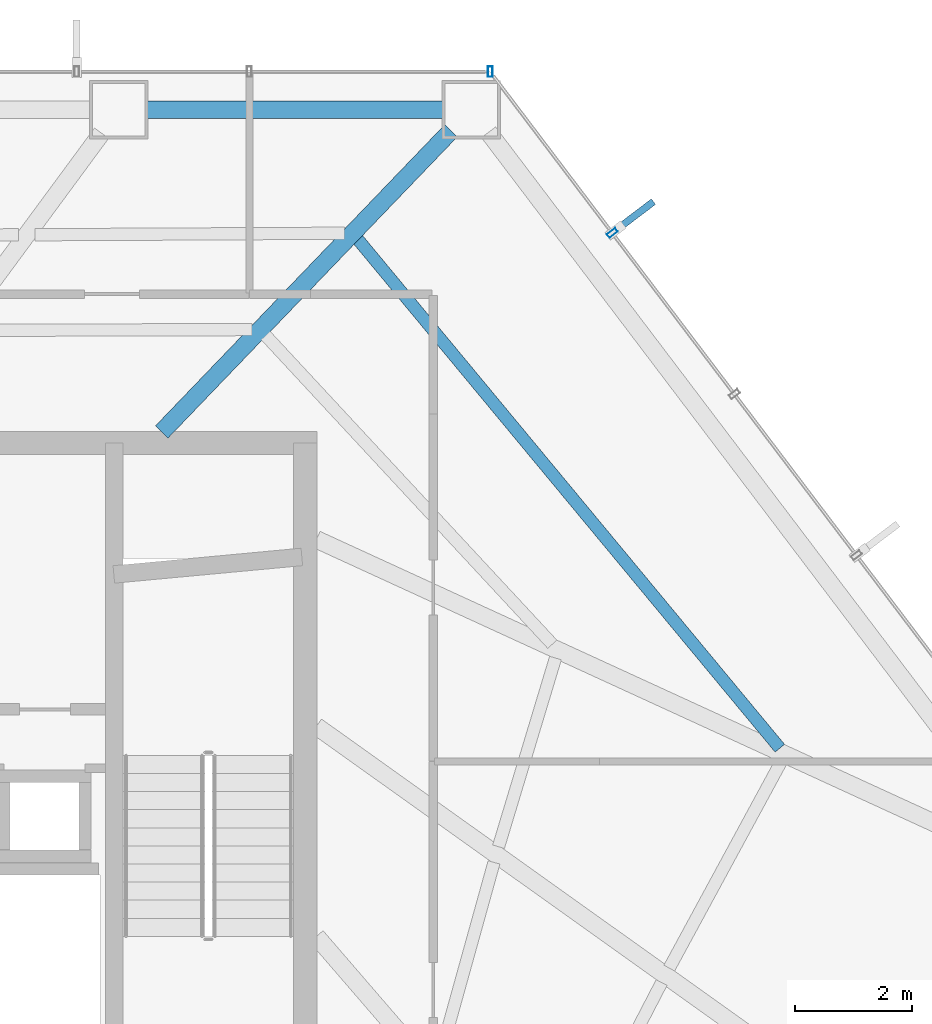
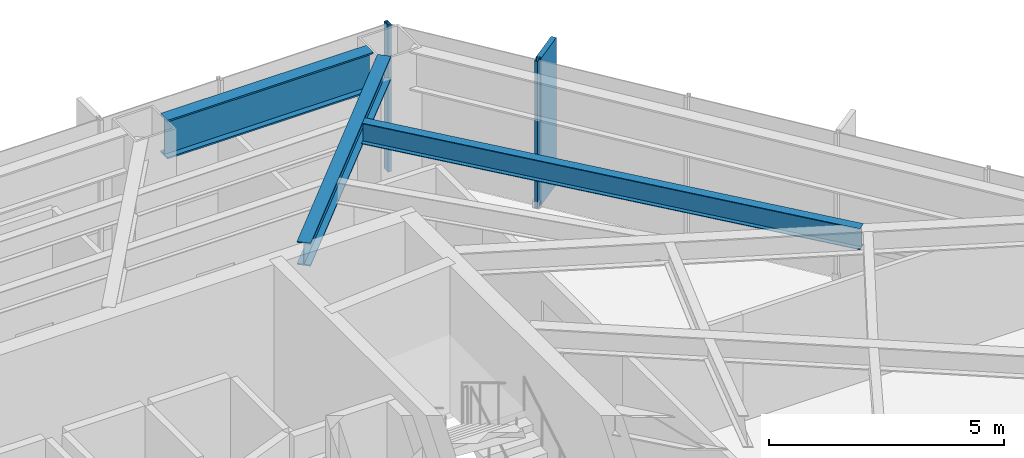
# One storey, part 17 of 24: 3 beams, 3 members, 2 elements without a shape of their own.
"""IFC4 building model written with IfcOpenShell, lengths in metres."""

import ifcopenshell
import ifcopenshell.guid

model = None  # the IFC model being written
_history = None  # IfcOwnerHistory: only IFC2X3 demands one
_inside = {}  # id of a spatial element -> (the spatial element, [elements in it])
_under = {}  # id of a project, library or spatial element -> (it, [spatial elements below it])
_declared = {}  # id of a project -> (the project, [libraries it declares])
_typed = {}  # id of a type object -> (the type object, [elements of that type])
_made_of = {}  # id of a material, layer set ... -> (it, [elements and type objects made of it])


def new_model(schema):
    """Start an empty IFC model of exactly this schema.

    Asked for "IFC4X3", IfcOpenShell would pick the latest addendum, in which some entities
    have other attributes; the version numbers below select the first issue.
    IFC2X3 requires an IfcOwnerHistory on every rooted entity: one is made here for all.
    """
    global model, _history
    if schema == "IFC4X3":
        model = ifcopenshell.file(schema_version=(4, 3, 0, 0))
    else:
        model = ifcopenshell.file(schema=schema)
    _inside.clear()
    _under.clear()
    _declared.clear()
    _typed.clear()
    _made_of.clear()
    _history = None
    if model.schema == "IFC2X3":
        org = make("IfcOrganization", Name="unknown")
        user = make(
            "IfcPersonAndOrganization",
            ThePerson=make("IfcPerson", FamilyName="unknown"),
            TheOrganization=org,
        )
        app = make(
            "IfcApplication",
            ApplicationDeveloper=org,
            Version="unknown",
            ApplicationFullName="unknown",
            ApplicationIdentifier="unknown",
        )
        _history = make(
            "IfcOwnerHistory",
            OwningUser=user,
            OwningApplication=app,
            ChangeAction="ADDED",
            CreationDate=0,
        )
    return model


def make(cls, **values):
    """One entity of the class cls with the attributes given. An attribute that is None is left unset."""
    return model.create_entity(
        cls, **{name: value for name, value in values.items() if value is not None}
    )


def rooted(cls, **values):
    """An entity with a GlobalId (a new one), such as an element, a storey or a relation."""
    return make(cls, GlobalId=ifcopenshell.guid.new(), OwnerHistory=_history, **values)


def si_unit(unit_type, name, prefix=None):
    """IfcSIUnit, for example si_unit("LENGTHUNIT", "METRE", prefix="MILLI")."""
    return make("IfcSIUnit", UnitType=unit_type, Prefix=prefix, Name=name)


def assignment(units):
    """IfcUnitAssignment: the units of a project."""
    return None if units is None else make("IfcUnitAssignment", Units=units)


def point(xyz):
    """IfcCartesianPoint."""
    return None if xyz is None else make("IfcCartesianPoint", Coordinates=xyz)


def direction(xyz):
    """IfcDirection."""
    return None if xyz is None else make("IfcDirection", DirectionRatios=xyz)


def frame(location, z_axis=None, x_axis=None):
    """IfcAxis2Placement3D, a coordinate frame: its origin and axes. An axis left out is left unset."""
    return make(
        "IfcAxis2Placement3D",
        Location=point(location),
        Axis=direction(z_axis),
        RefDirection=direction(x_axis),
    )


def frame_2d(location, x_axis=None):
    """IfcAxis2Placement2D, a coordinate frame in the plane: its origin and x axis."""
    return make(
        "IfcAxis2Placement2D", Location=point(location), RefDirection=direction(x_axis)
    )


def origin():
    """The frame at (0, 0, 0) with its axes left unset."""
    return frame((0.0, 0.0, 0.0))


def origin_2d():
    """The frame at (0, 0) in the plane with its x axis left unset."""
    return frame_2d((0.0, 0.0))


def place(relative_to, where):
    """IfcLocalPlacement: puts the frame where relative to a parent placement (None: the world)."""
    return make(
        "IfcLocalPlacement", PlacementRelTo=relative_to, RelativePlacement=where
    )


def context(
    kind, dimensions, precision=None, world=None, true_north=None, identifier=None
):
    """IfcGeometricRepresentationContext, for example the 3D "Model" context."""
    return make(
        "IfcGeometricRepresentationContext",
        ContextIdentifier=identifier,
        ContextType=kind,
        CoordinateSpaceDimension=dimensions,
        Precision=precision,
        WorldCoordinateSystem=world,
        TrueNorth=true_north,
    )


def subcontext(parent, identifier, kind, view, scale=None):
    """IfcGeometricRepresentationSubContext, for example "Body" below "Model"."""
    return make(
        "IfcGeometricRepresentationSubContext",
        ContextIdentifier=identifier,
        ContextType=kind,
        ParentContext=parent,
        TargetScale=scale,
        TargetView=view,
    )


def project(units=None, contexts=None):
    """IfcProject with its units and contexts."""
    return rooted(
        "IfcProject",
        Name="project",
        RepresentationContexts=contexts,
        UnitsInContext=assignment(units),
    )


def spatial(cls, under=None, at=None, **own):
    """A site, building, storey or space (cls), placed at a placement, below another one or the project."""
    s = rooted(cls, ObjectPlacement=at, **own)
    if under is not None:
        _under.setdefault(under.id(), (under, []))[1].append(s)
    return s


def profile(cls, at=None, kind="AREA", **sizes):
    """A parametric profile (cls). Its sizes go by their IFC names, for example OverallWidth=200.0."""
    return make(cls, ProfileType=kind, Position=at, **sizes)


def rectangle(**sizes):
    """IfcRectangleProfileDef."""
    return profile("IfcRectangleProfileDef", **sizes)


def hollow_rectangle(**sizes):
    """IfcRectangleHollowProfileDef."""
    return profile("IfcRectangleHollowProfileDef", **sizes)


def i_section(**sizes):
    """IfcIShapeProfileDef."""
    return profile("IfcIShapeProfileDef", **sizes)


def extrude(swept, where, along, depth):
    """IfcExtrudedAreaSolid: the profile swept, set in the frame where, extruded along a direction by depth."""
    return make(
        "IfcExtrudedAreaSolid",
        SweptArea=swept,
        Position=where,
        ExtrudedDirection=direction(along),
        Depth=depth,
    )


def shape(context_of_items, identifier, shape_type, items):
    """IfcShapeRepresentation: the items that make up one representation, for example the "Body"."""
    return make(
        "IfcShapeRepresentation",
        ContextOfItems=context_of_items,
        RepresentationIdentifier=identifier,
        RepresentationType=shape_type,
        Items=items,
    )


def material(Name=None, Category=None):
    """IfcMaterial."""
    return make("IfcMaterial", Name=Name, Category=Category)


def layer(
    of_material, thickness, ventilated=None, Name=None, Category=None, Priority=None
):
    """IfcMaterialLayer: one layer of a wall or slab, of a material (None: an air gap)."""
    return make(
        "IfcMaterialLayer",
        Material=of_material,
        LayerThickness=thickness,
        IsVentilated=ventilated,
        Name=Name,
        Category=Category,
        Priority=Priority,
    )


def layer_set(layers, Name=None):
    """IfcMaterialLayerSet."""
    return make("IfcMaterialLayerSet", MaterialLayers=layers, LayerSetName=Name)


def material_profile(
    of_material, cross_section, Name=None, Category=None, Priority=None
):
    """IfcMaterialProfile: a cross section and its material."""
    return make(
        "IfcMaterialProfile",
        Name=Name,
        Material=of_material,
        Profile=cross_section,
        Priority=Priority,
        Category=Category,
    )


def profile_set(profiles, Name=None, composite=None):
    """IfcMaterialProfileSet."""
    return make(
        "IfcMaterialProfileSet",
        Name=Name,
        MaterialProfiles=profiles,
        CompositeProfile=composite,
    )


def made_of(thing, what):
    """Note that an element or type object is made of a material, layer set ...; save() writes the relation."""
    if what is not None:
        _made_of.setdefault(what.id(), (what, []))[1].append(thing)
    return thing


def type_object(cls, material=None, **own):
    """A type object (cls), such as IfcWallType, which elements share."""
    return made_of(rooted(cls, **own), material)


def element(
    cls,
    number,
    at=None,
    inside=None,
    cuts=None,
    type_object=None,
    material=None,
    context=None,
    identifier="Body",
    shape_type=None,
    held_by="IfcProductDefinitionShape",
    body=None,
    shapes=None,
    **own,
):
    """One element of the class cls, such as IfcWall. Its Tag is "e" and its number.

    at: its placement. inside: the storey or other place that contains it. cuts: it is an
    opening in that element (IfcRelVoidsElement). A single representation is given by context,
    identifier, shape_type and body (its items); several are given by shapes. held_by: the class
    of the entity that holds the representations. save() writes the other relations.
    """
    e = rooted(cls, Tag="e%d" % number, ObjectPlacement=at, **own)
    if body is not None:
        shapes = [shape(context, identifier, shape_type, body)]
    if shapes is not None:
        e.Representation = make(held_by, Representations=shapes)
    if inside is not None:
        _inside.setdefault(inside.id(), (inside, []))[1].append(e)
    if cuts is not None:
        rooted(
            "IfcRelVoidsElement", RelatingBuildingElement=cuts, RelatedOpeningElement=e
        )
    if type_object is not None:
        _typed.setdefault(type_object.id(), (type_object, []))[1].append(e)
    return made_of(e, material)


def aggregate(whole, parts):
    """IfcRelAggregates: a whole, such as a stair, and the parts it consists of."""
    return rooted("IfcRelAggregates", RelatingObject=whole, RelatedObjects=parts)


def save(model, path):
    """Write the relations noted so far, then the file.

    IfcRelAggregates (storeys below a building ...), IfcRelContainedInSpatialStructure (elements
    in a storey), IfcRelDefinesByType, IfcRelAssociatesMaterial and IfcRelDeclares: one each for
    every whole, place, type object, material and project.
    """
    for whole, parts in _under.values():
        aggregate(whole, parts)
    for where, things in _inside.values():
        rooted(
            "IfcRelContainedInSpatialStructure",
            RelatedElements=things,
            RelatingStructure=where,
        )
    for kind, things in _typed.values():
        rooted("IfcRelDefinesByType", RelatedObjects=things, RelatingType=kind)
    for what, things in _made_of.values():
        rooted("IfcRelAssociatesMaterial", RelatedObjects=things, RelatingMaterial=what)
    for by, libraries in _declared.values():
        rooted("IfcRelDeclares", RelatingContext=by, RelatedDefinitions=libraries)
    model.write(path)


model = new_model("IFC4")

# Units and contexts
model_context = context("Model", 3, precision=1e-05, world=origin(), true_north=direction((0.0, 1.0)))
body_context = subcontext(model_context, "Body", "Model", "MODEL_VIEW")
ifc_project = project(units=[si_unit("LENGTHUNIT", "METRE"), si_unit("AREAUNIT", "SQUARE_METRE"), si_unit("VOLUMEUNIT", "CUBIC_METRE"), si_unit("PLANEANGLEUNIT", "RADIAN"), si_unit("MASSUNIT", "GRAM", prefix="KILO")], contexts=[model_context])

# Site, building, storey
site_placement = place(None, origin())
site = spatial("IfcSite", under=ifc_project, at=site_placement, CompositionType="ELEMENT")
building_placement = place(site_placement, origin())
building = spatial("IfcBuilding", under=site, at=building_placement, Name="Zarrinselat Tower", CompositionType="ELEMENT")
storey_placement = place(building_placement, frame((0.0, 0.0, 64.260009765625)))
storey = spatial("IfcBuildingStorey", under=building, at=storey_placement, Name="L15", CompositionType="ELEMENT", Elevation=64.260009765625)

# Beams
ifc_material_1 = material(Name="Steel S355J2", Category="steel")
ifc_material_profile_1 = material_profile(ifc_material_1, i_section(OverallWidth=0.300048828125, OverallDepth=0.60009765625, WebThickness=0.015380859375, FlangeThickness=0.030029296875, at=origin_2d()), Name="HEB 600")
ifc_profile_set_1 = profile_set([ifc_material_profile_1], Name="Steel S355J2")
beam_type_1 = type_object("IfcBeamType", Name="BM-HEB600", PredefinedType="BEAM", material=ifc_profile_set_1)
beam_1_placement = place(storey_placement, frame((45.800048828125, 43.639892578125, 3.52001953125), z_axis=(0.692696633035, 0.721229072197, 0.0), x_axis=(-0.721229072197, 0.692696633035, 0.0)))
element("IfcBeam", 1, at=beam_1_placement, inside=storey, type_object=beam_type_1, Name="L15 Radial Primary Girder RG01", PredefinedType="BEAM", context=body_context, shape_type="SweptSolid", body=[
    extrude(i_section(OverallWidth=0.300048828125, OverallDepth=0.60009765625, WebThickness=0.015380859375, FlangeThickness=0.030029296875, at=origin_2d()), origin(), (0.0, 0.0, 1.0), 7.1533203125),
])
ifc_material_2 = material(Name="Steel S460M", Category="steel")
ifc_material_profile_2 = material_profile(ifc_material_2, i_section(OverallWidth=0.302001953125, OverallDepth=1.008056640625, WebThickness=0.02099609375, FlangeThickness=0.0400390625, at=origin_2d()), Name="HEM 1000")
ifc_profile_set_2 = profile_set([ifc_material_profile_2], Name="Steel S460M")
beam_type_2 = type_object("IfcBeamType", Name="BM-HEM1000", PredefinedType="BEAM", material=ifc_profile_set_2)
beam_2_placement = place(storey_placement, frame((45.55517578125, 49.1611328125, 3.31591796875), z_axis=(1.0, 0.0, 0.0), x_axis=(0.0, 1.0, 0.0)))
element("IfcBeam", 2, at=beam_2_placement, inside=storey, type_object=beam_type_2, Name="L15 Perimeter Spandrel Girder SP01", PredefinedType="BEAM", context=body_context, shape_type="SweptSolid", body=[
    extrude(i_section(OverallWidth=0.302001953125, OverallDepth=1.008056640625, WebThickness=0.02099609375, FlangeThickness=0.0400390625, at=origin_2d()), origin(), (0.0, 0.0, 1.0), 5.059814453125),
])
ifc_material_3 = material(Name="Steel S355J2", Category="steel")
ifc_material_profile_3 = material_profile(ifc_material_3, i_section(OverallWidth=0.2099609375, OverallDepth=0.550048828125, WebThickness=0.010986328125, FlangeThickness=0.01708984375, at=origin_2d()), Name="IPE 550")
ifc_profile_set_3 = profile_set([ifc_material_profile_3], Name="Steel S355J2")
beam_type_3 = type_object("IfcBeamType", Name="BM-IPE550", PredefinedType="JOIST", material=ifc_profile_set_3)
beam_3_placement = place(storey_placement, frame((49.159912109375, 46.937255859375, 3.544921875), z_axis=(0.638383864469, -0.76971815724, 0.0), x_axis=(0.76971815724, 0.638383864469, 0.0)))
element("IfcBeam", 3, at=beam_3_placement, inside=storey, type_object=beam_type_3, Name="L15 Composite Floor Joist 6-1", PredefinedType="JOIST", context=body_context, shape_type="SweptSolid", body=[
    extrude(i_section(OverallWidth=0.2099609375, OverallDepth=0.550048828125, WebThickness=0.010986328125, FlangeThickness=0.01708984375, at=origin_2d()), origin(), (0.0, 0.0, 1.0), 11.32080078125),
])

# Curtain wall, member
ifc_material_4 = material(Name="Extruded Aluminium Alloy EN AW-6063 T6", Category="aluminium")
ifc_layer = layer(ifc_material_4, 0.18505859375)
ifc_layer_set = layer_set([ifc_layer], Name="Extruded Aluminium Alloy EN AW-6063 T6")
curtain_wall_type = type_object("IfcCurtainWallType", Name="CWS-OFF", PredefinedType="NOTDEFINED", material=ifc_layer_set)
curtain_wall_1_placement = place(storey_placement, origin())
curtain_wall_1 = element("IfcCurtainWall", 4, at=curtain_wall_1_placement, inside=storey, type_object=curtain_wall_type, Name="L15 Unitised Curtain Wall CW-L15-E02", PredefinedType="NOTDEFINED")
ifc_material_5 = material(Name="Extruded Aluminium Alloy EN AW-6063 T6", Category="aluminium")
ifc_material_profile_4 = material_profile(ifc_material_5, hollow_rectangle(XDim=0.080078125, YDim=0.179931640625, WallThickness=0.0048828125, at=origin_2d()), Name="RHS 180x80x5")
ifc_profile_set_4 = profile_set([ifc_material_profile_4], Name="Extruded Aluminium Alloy EN AW-6063 T6")
member_type_1 = type_object("IfcMemberType", Name="MEM-CW-MUL", PredefinedType="MULLION", material=ifc_profile_set_4)
member_1_placement = place(storey_placement, frame((51.42578125, 49.81103515625, 0.0), z_axis=(0.0, 0.0, 1.0), x_axis=(1.0, 0.0, 0.0)))
member_1 = element("IfcMember", 5, at=member_1_placement, type_object=member_type_1, Name="CW-L15-E02 Mullion 7", PredefinedType="MULLION", context=body_context, shape_type="SweptSolid", body=[
    extrude(hollow_rectangle(XDim=0.080078125, YDim=0.179931640625, WallThickness=0.0048828125, at=origin_2d()), origin(), (0.0, 0.0, 1.0), 3.820068359375),
])
aggregate(curtain_wall_1, [member_1])

# Curtain wall, members
curtain_wall_2_placement = place(storey_placement, origin())
curtain_wall_2 = element("IfcCurtainWall", 6, at=curtain_wall_2_placement, inside=storey, type_object=curtain_wall_type, Name="L15 Unitised Curtain Wall CW-L15-E03", PredefinedType="NOTDEFINED")
member_2_placement = place(storey_placement, frame((53.517333984375, 47.050537109375, 0.0), z_axis=(0.0, 0.0, 1.0), x_axis=(0.603859800485, -0.797090547779, 0.0)))
member_2 = element("IfcMember", 7, at=member_2_placement, type_object=member_type_1, Name="CW-L15-E03 Mullion 1", PredefinedType="MULLION", context=body_context, shape_type="SweptSolid", body=[
    extrude(hollow_rectangle(XDim=0.080078125, YDim=0.179931640625, WallThickness=0.0048828125, at=origin_2d()), origin(), (0.0, 0.0, 1.0), 3.820068359375),
])
ifc_material_6 = material(Name="Honed Cream Travertine Stone", Category="masonry")
ifc_material_profile_5 = material_profile(ifc_material_6, rectangle(XDim=0.1201171875, YDim=0.85009765625, at=origin_2d()), Name="FIN 850x120")
ifc_profile_set_5 = profile_set([ifc_material_profile_5], Name="Honed Cream Travertine Stone")
member_type_2 = type_object("IfcMemberType", Name="MEM-STONE-FIN", PredefinedType="USERDEFINED", material=ifc_profile_set_5)
member_3_placement = place(storey_placement, frame((53.884033203125, 47.328369140625, 0.0), z_axis=(0.0, 0.0, 1.0), x_axis=(0.603859800485, -0.797090547779, 0.0)))
member_3 = element("IfcMember", 8, at=member_3_placement, type_object=member_type_2, Name="L15 Stone Shading Fin CW-L15-E03-01", ObjectType="FIN", PredefinedType="USERDEFINED", context=body_context, shape_type="SweptSolid", body=[
    extrude(rectangle(XDim=0.1201171875, YDim=0.85009765625, at=origin_2d()), origin(), (0.0, 0.0, 1.0), 3.820068359375),
])
aggregate(curtain_wall_2, [member_2, member_3])

save(model, "model.ifc")
